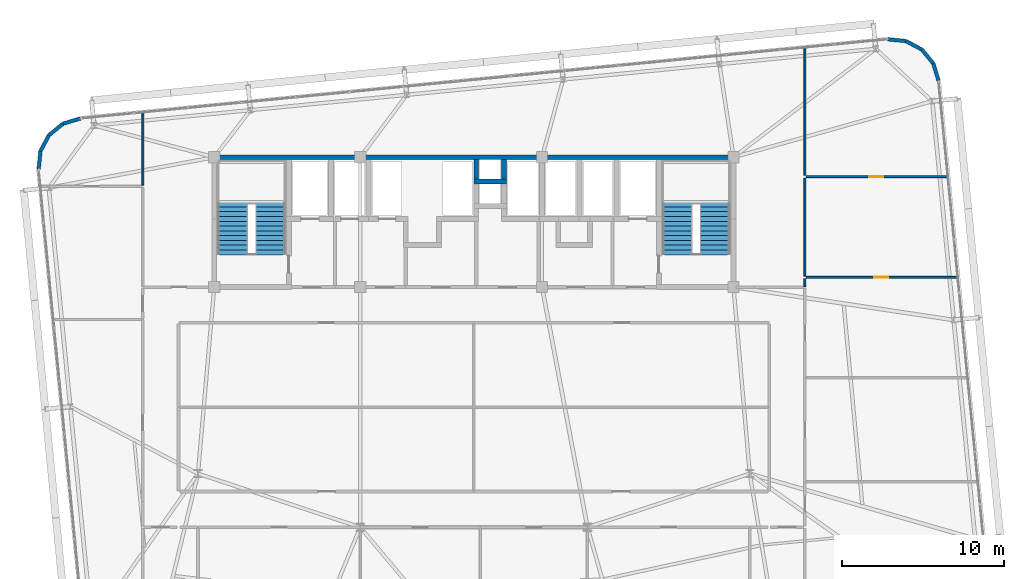
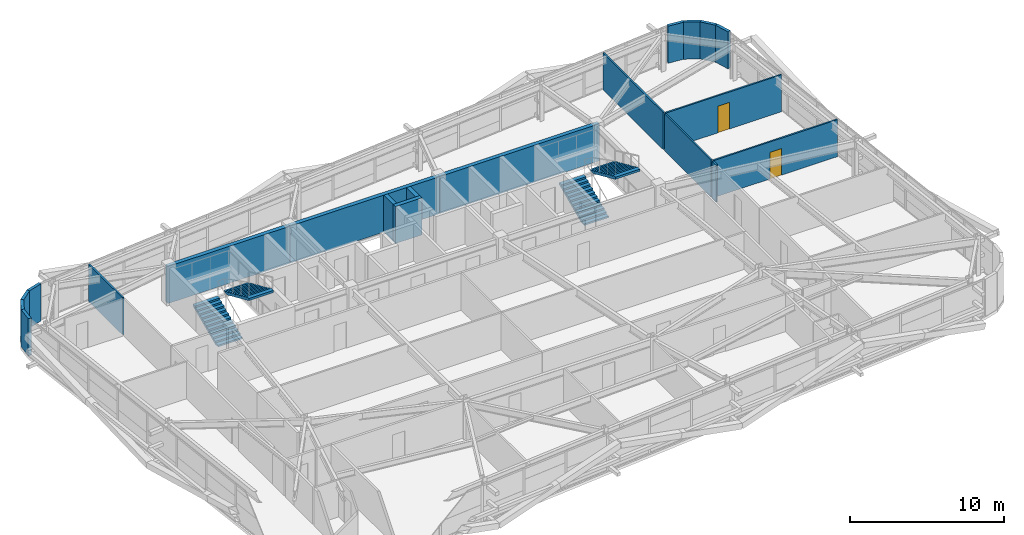
# One storey, part 49 of 52: 20 walls, 4 stair flights, 2 doors, 2 openings, 2 elements without a shape of their own.
"""IFC4 building model written with IfcOpenShell, lengths in metres."""

from ifc_helpers import new_model, si_unit, direction, frame, frame_2d, origin, place, context, subcontext, project, spatial, polyline, rectangle, outline, extrude, source, transform, mapped, material, layer, layer_set, type_object, element, fill, aggregate, save


model = new_model("IFC4")

# Units and contexts
model_context = context("Model", 3, precision=1e-05, world=origin(), true_north=direction((0.0, 1.0)))
body_context = subcontext(model_context, "Body", "Model", "MODEL_VIEW")
ifc_project = project(units=[si_unit("LENGTHUNIT", "METRE"), si_unit("AREAUNIT", "SQUARE_METRE"), si_unit("VOLUMEUNIT", "CUBIC_METRE"), si_unit("PLANEANGLEUNIT", "RADIAN"), si_unit("MASSUNIT", "GRAM", prefix="KILO")], contexts=[model_context])

# Site, building, storey
site_placement = place(None, origin())
site = spatial("IfcSite", under=ifc_project, at=site_placement, CompositionType="ELEMENT")
building_placement = place(site_placement, origin())
building = spatial("IfcBuilding", under=site, at=building_placement, Name="Taldren Reach Tower", CompositionType="ELEMENT")
storey_placement = place(building_placement, frame((0.0, 0.0, 77.699951171875)))
storey = spatial("IfcBuildingStorey", under=building, at=storey_placement, Name="L23", CompositionType="ELEMENT", Elevation=77.699951171875)

# Walls
ifc_material_1 = material(Name="Pale Champagne Anodised Aluminium Cladding", Category="aluminium")
ifc_layer_1 = layer(ifc_material_1, 0.04, Name="Pale Champagne Anodised Aluminium Cladding", Category="aluminium")
ifc_material_2 = material(Name="Mineral Wool Acoustic Insulation", Category="insulation")
ifc_layer_2 = layer(ifc_material_2, 0.06, Name="Mineral Wool Acoustic Insulation", Category="insulation")
ifc_material_3 = material(Name="Steel Gr 350 (C350L0)", Category="steel")
ifc_layer_3 = layer(ifc_material_3, 0.12, Name="Steel Gr 350 (C350L0)", Category="steel")
ifc_layer_set_1 = layer_set([ifc_layer_1, ifc_layer_2, ifc_layer_3], Name="Pale Champagne Aluminium Cladding and Steel Gr 350 Stud Framing")
wall_type_1 = type_object("IfcWallType", Name="EW-CRN-220", PredefinedType="SOLIDWALL", material=ifc_layer_set_1)
shared_shape_1 = source(origin(), body_context, "Body", "SweptSolid", [
    extrude(rectangle(XDim=1.115966796875, YDim=0.219970703125, at=frame_2d((0.55810546875, 0.0))), origin(), (0.0, 0.0, 1.0), 2.929931640625),
])
for number, where, z_axis, x_axis, name in (
    (1, (63.6376953125, 36.6982421875, 0.0), (0.0, 0.0, 1.0), (-0.289855603468, 0.957070388811, 0.0), "Rounded-corner pale-metal facade wall L23-NE1"),
    (2, (62.606689453125, 38.629150390625, 0.0), (0.0, 0.0, 1.0), (-0.881655534635, 0.471893545461, 0.0), "Rounded-corner pale-metal facade wall L23-NE3"),
    (3, (61.622802734375, 39.15576171875, 0.0), (0.0, 0.0, 1.0), (-0.995142755671, 0.09844234778, 0.0), "Rounded-corner pale-metal facade wall L23-NE4"),
    (4, (10.7509765625, 34.386474609375, 0.0), (0.0, 0.0, 1.0), (-0.957070388811, -0.289855603468, 0.0), "Rounded-corner pale-metal facade wall L23-NW1"),
):
    element("IfcWall", number, at=place(storey_placement, frame(where, z_axis=z_axis, x_axis=x_axis)), inside=storey, type_object=wall_type_1, Name=name, PredefinedType="SOLIDWALL", context=body_context, shape_type="MappedRepresentation", body=[
        mapped(shared_shape_1, transform((0.0, 0.0, 0.0), scale=1.0)),
    ])
shared_shape_2 = source(origin(), body_context, "Body", "SweptSolid", [
    extrude(rectangle(XDim=1.11572265625, YDim=0.219970703125, at=frame_2d((0.557861328125, 0.0))), origin(), (0.0, 0.0, 1.0), 2.929931640625),
])
for number, where, z_axis, x_axis, name in (
    (5, (63.314208984375, 37.766357421875, 0.0), (0.0, 0.0, 1.0), (-0.634095287989, 0.773254916409, 0.0), "Rounded-corner pale-metal facade wall L23-NE2"),
    (6, (9.682861328125, 34.06298828125, 0.0), (0.0, 0.0, 1.0), (-0.773254916409, -0.634095287989, 0.0), "Rounded-corner pale-metal facade wall L23-NW2"),
    (7, (8.29345703125, 32.371337890625, 0.0), (0.0, 0.0, 1.0), (-0.098463783145, -0.99514063499, 0.0), "Rounded-corner pale-metal facade wall L23-NW4"),
):
    element("IfcWall", number, at=place(storey_placement, frame(where, z_axis=z_axis, x_axis=x_axis)), inside=storey, type_object=wall_type_1, Name=name, PredefinedType="SOLIDWALL", context=body_context, shape_type="MappedRepresentation", body=[
        mapped(shared_shape_2, transform((0.0, 0.0, 0.0), scale=1.0)),
    ])
shared_shape_3 = source(origin(), body_context, "Body", "SweptSolid", [
    extrude(rectangle(XDim=1.1162109375, YDim=0.219970703125, at=frame_2d((0.55810546875, 0.0))), origin(), (0.0, 0.0, 1.0), 2.929931640625),
])
wall_1_placement = place(storey_placement, frame((8.820068359375, 33.35546875, 0.0), z_axis=(0.0, 0.0, 1.0), x_axis=(-0.471802540493, -0.881704237704, 0.0)))
element("IfcWall", 8, at=wall_1_placement, inside=storey, type_object=wall_type_1, Name="Rounded-corner pale-metal facade wall L23-NW3", PredefinedType="SOLIDWALL", context=body_context, shape_type="MappedRepresentation", body=[
    mapped(shared_shape_3, transform((0.0, 0.0, 0.0), scale=1.0)),
])
ifc_material_4 = material(Name="Concrete S65 (65 MPa)", Category="concrete")
ifc_layer_4 = layer(ifc_material_4, 0.300048828125)
ifc_layer_set_2 = layer_set([ifc_layer_4], Name="Concrete S65 (65 MPa)")
wall_type_2 = type_object("IfcWallType", Name="IW-CORE-300", PredefinedType="SHEAR", material=ifc_layer_set_2)
shared_shape_4 = source(origin(), body_context, "Body", "SweptSolid", [
    extrude(rectangle(XDim=9.14990234375, YDim=0.300048828125, at=frame_2d((4.574951171875, 0.0))), origin(), (0.0, 0.0, 1.0), 2.929931640625),
])
wall_2_placement = place(storey_placement, frame((18.85009765625, 32.0, 0.0), z_axis=(0.0, 0.0, 1.0), x_axis=(1.0, 0.0, 0.0)))
element("IfcWall", 9, at=wall_2_placement, inside=storey, type_object=wall_type_2, Name="Rear Core Shear Wall W-CORE-L23-NORTH1", PredefinedType="SHEAR", context=body_context, shape_type="MappedRepresentation", body=[
    mapped(shared_shape_4, transform((0.0, 0.0, 0.0), scale=1.0)),
])
shared_shape_5 = source(origin(), body_context, "Body", "SweptSolid", [
    extrude(rectangle(XDim=11.199951171875, YDim=0.300048828125, at=frame_2d((5.60009765625, 0.0))), origin(), (0.0, 0.0, 1.0), 2.929931640625),
])
wall_3_placement = place(storey_placement, frame((28.0, 32.0, 0.0), z_axis=(0.0, 0.0, 1.0), x_axis=(1.0, 0.0, 0.0)))
element("IfcWall", 10, at=wall_3_placement, inside=storey, type_object=wall_type_2, Name="Rear Core Shear Wall W-CORE-L23-NORTH2", PredefinedType="SHEAR", context=body_context, shape_type="MappedRepresentation", body=[
    mapped(shared_shape_5, transform((0.0, 0.0, 0.0), scale=1.0)),
])
shared_shape_6 = source(origin(), body_context, "Body", "SweptSolid", [
    extrude(rectangle(XDim=11.949951171875, YDim=0.300048828125, at=frame_2d((5.97509765625, 0.0))), origin(), (0.0, 0.0, 1.0), 2.929931640625),
])
wall_4_placement = place(storey_placement, frame((39.199951171875, 32.0, 0.0), z_axis=(0.0, 0.0, 1.0), x_axis=(1.0, 0.0, 0.0)))
element("IfcWall", 11, at=wall_4_placement, inside=storey, type_object=wall_type_2, Name="Rear Core Shear Wall W-CORE-L23-NORTH3", PredefinedType="SHEAR", context=body_context, shape_type="MappedRepresentation", body=[
    mapped(shared_shape_6, transform((0.0, 0.0, 0.0), scale=1.0)),
])
shared_shape_7 = source(origin(), body_context, "Body", "SweptSolid", [
    extrude(rectangle(XDim=2.0, YDim=0.300048828125, at=frame_2d((1.0, 0.0))), origin(), (0.0, 0.0, 1.0), 2.929931640625),
])
wall_5_placement = place(storey_placement, frame((35.0, 30.5, 0.0), z_axis=(0.0, 0.0, 1.0), x_axis=(1.0, 0.0, 0.0)))
element("IfcWall", 12, at=wall_5_placement, inside=storey, type_object=wall_type_2, Name="Rear Core Shear Wall W-INT-L23-015", PredefinedType="SHEAR", context=body_context, shape_type="MappedRepresentation", body=[
    mapped(shared_shape_7, transform((0.0, 0.0, 0.0), scale=1.0)),
])
shared_shape_8 = source(origin(), body_context, "Body", "SweptSolid", [
    extrude(rectangle(XDim=1.2001953125, YDim=0.300048828125, at=frame_2d((0.60009765625, 0.0))), origin(), (0.0, 0.0, 1.0), 2.929931640625),
])
for number, where, z_axis, x_axis, name in (
    (13, (35.14990234375, 31.85009765625, 0.0), (0.0, 0.0, 1.0), (0.0, -1.0, 0.0), "Rear Core Shear Wall W-INT-L23-016"),
    (14, (36.85009765625, 30.64990234375, 0.0), (0.0, 0.0, 1.0), (0.0, 1.0, 0.0), "Rear Core Shear Wall W-INT-L23-017"),
):
    element("IfcWall", number, at=place(storey_placement, frame(where, z_axis=z_axis, x_axis=x_axis)), inside=storey, type_object=wall_type_2, Name=name, PredefinedType="SHEAR", context=body_context, shape_type="MappedRepresentation", body=[
        mapped(shared_shape_8, transform((0.0, 0.0, 0.0), scale=1.0)),
    ])
ifc_material_5 = material(Name="Insulated Residential Stud Partition", Category="gypsum")
ifc_layer_5 = layer(ifc_material_5, 0.1201171875)
ifc_layer_set_3 = layer_set([ifc_layer_5], Name="Insulated Residential Stud Partition")
wall_type_3 = type_object("IfcWallType", Name="IW-PART-120", PredefinedType="PARTITIONING", material=ifc_layer_set_3)
shared_shape_9 = source(origin(), body_context, "Body", "SweptSolid", [
    extrude(rectangle(XDim=4.385498046875, YDim=0.1201171875, at=frame_2d((2.19287109375, 0.0))), origin(), (0.0, 0.0, 1.0), 2.929931640625),
])
wall_6_placement = place(storey_placement, frame((14.60009765625, 34.66552734375, 0.0), z_axis=(0.0, 0.0, 1.0), x_axis=(0.0, -1.0, 0.0)))
element("IfcWall", 15, at=wall_6_placement, inside=storey, type_object=wall_type_3, Name="Interior Partition Wall W-INT-L23-092", PredefinedType="PARTITIONING", context=body_context, shape_type="MappedRepresentation", body=[
    mapped(shared_shape_9, transform((0.0, 0.0, 0.0), scale=1.0)),
])

# Wall, opening, door
shared_shape_10 = source(origin(), body_context, "Body", "SweptSolid", [
    extrude(rectangle(XDim=9.26123046875, YDim=0.1201171875, at=frame_2d((4.630615234375, 0.0))), origin(), (0.0, 0.0, 1.0), 2.929931640625),
])
wall_7_placement = place(storey_placement, frame((55.47998046875, 24.60009765625, 0.0), z_axis=(0.0, 0.0, 1.0), x_axis=(1.0, 0.0, 0.0)))
wall_7 = element("IfcWall", 16, at=wall_7_placement, inside=storey, type_object=wall_type_3, Name="Interior Partition Wall W-INT-L23-095", PredefinedType="PARTITIONING", context=body_context, shape_type="MappedRepresentation", body=[
    mapped(shared_shape_10, transform((0.0, 0.0, 0.0), scale=1.0)),
])
shared_shape_11 = source(origin(), body_context, "Body", "SweptSolid", [
    extrude(rectangle(XDim=0.860107421875, YDim=2.10009765625, at=frame_2d((0.43017578125, 1.050048828125))), frame((0.0, 0.070068359375, 0.0), z_axis=(0.0, -1.0, 0.0), x_axis=(1.0, 0.0, 0.0)), (0.0, 0.0, 1.0), 0.14013671875),
])
opening_1_placement = place(wall_7_placement, frame((4.20068359375, 0.0, 0.0)))
opening_1 = element("IfcOpeningElement", 17, at=opening_1_placement, cuts=wall_7, Name="Opening DI-086", PredefinedType="OPENING", context=body_context, shape_type="MappedRepresentation", body=[
    mapped(shared_shape_11, transform((0.0, 0.0, 0.0), scale=1.0)),
])
ifc_material_6 = material(Name="Timber Bathroom Door", Category="wood")
door_type = type_object("IfcDoorType", Name="ID-INT-086", OperationType="NOTDEFINED", PredefinedType="DOOR", material=ifc_material_6)
shared_shape_12 = source(origin(), body_context, "Body", "SweptSolid", [
    extrude(rectangle(XDim=0.860107421875, YDim=2.10009765625, at=frame_2d((0.43017578125, 1.050048828125))), frame((0.0, 0.02490234375, 0.0), z_axis=(0.0, -1.0, 0.0), x_axis=(1.0, 0.0, 0.0)), (0.0, 0.0, 1.0), 0.050048828125),
])
door_1_placement = place(opening_1_placement, origin())
door_1 = element("IfcDoor", 18, at=door_1_placement, inside=storey, type_object=door_type, Name="Interior Door DR-L23-028", OperationType="SINGLE_SWING_LEFT", OverallHeight=2.10009765625, OverallWidth=0.860107421875, PredefinedType="DOOR", context=body_context, shape_type="MappedRepresentation", body=[
    mapped(shared_shape_12, transform((0.0, 0.0, 0.0), scale=1.0)),
])
fill(opening_1, door_1)

# Wall
shared_shape_13 = source(origin(), body_context, "Body", "SweptSolid", [
    extrude(rectangle(XDim=0.499755859375, YDim=0.1201171875, at=frame_2d((0.25, 0.0))), origin(), (0.0, 0.0, 1.0), 2.929931640625),
])
wall_8_placement = place(storey_placement, frame((55.39990234375, 24.020263671875, 0.0), z_axis=(0.0, 0.0, 1.0), x_axis=(0.0, 1.0, 0.0)))
element("IfcWall", 19, at=wall_8_placement, inside=storey, type_object=wall_type_3, Name="Interior Partition Wall W-INT-L23-096", PredefinedType="PARTITIONING", context=body_context, shape_type="MappedRepresentation", body=[
    mapped(shared_shape_13, transform((0.0, 0.0, 0.0), scale=1.0)),
])

# Wall, opening, door
shared_shape_14 = source(origin(), body_context, "Body", "SweptSolid", [
    extrude(rectangle(XDim=8.6533203125, YDim=0.1201171875, at=frame_2d((4.32666015625, 0.0))), origin(), (0.0, 0.0, 1.0), 2.929931640625),
])
wall_9_placement = place(storey_placement, frame((55.47998046875, 30.800048828125, 0.0), z_axis=(0.0, 0.0, 1.0), x_axis=(1.0, 0.0, 0.0)))
wall_9 = element("IfcWall", 20, at=wall_9_placement, inside=storey, type_object=wall_type_3, Name="Interior Partition Wall W-INT-L23-097", PredefinedType="PARTITIONING", context=body_context, shape_type="MappedRepresentation", body=[
    mapped(shared_shape_14, transform((0.0, 0.0, 0.0), scale=1.0)),
])
opening_2_placement = place(wall_9_placement, frame((3.896728515625, 0.0, 0.0)))
opening_2 = element("IfcOpeningElement", 21, at=opening_2_placement, cuts=wall_9, Name="Opening DI-086", PredefinedType="OPENING", context=body_context, shape_type="MappedRepresentation", body=[
    mapped(shared_shape_11, transform((0.0, 0.0, 0.0), scale=1.0)),
])
door_2_placement = place(opening_2_placement, frame((0.860107421875, 0.0, 0.0), z_axis=(0.0, 0.0, 1.0), x_axis=(-1.0, 0.0, 0.0)))
door_2 = element("IfcDoor", 22, at=door_2_placement, inside=storey, type_object=door_type, Name="Interior Door DR-L23-029", OperationType="SINGLE_SWING_LEFT", OverallHeight=2.10009765625, OverallWidth=0.860107421875, PredefinedType="DOOR", context=body_context, shape_type="MappedRepresentation", body=[
    mapped(shared_shape_12, transform((0.0, 0.0, 0.0), scale=1.0)),
])
fill(opening_2, door_2)

# Walls
shared_shape_15 = source(origin(), body_context, "Body", "SweptSolid", [
    extrude(rectangle(XDim=6.0400390625, YDim=0.1201171875, at=frame_2d((3.02001953125, 0.0))), origin(), (0.0, 0.0, 1.0), 2.929931640625),
])
wall_10_placement = place(storey_placement, frame((55.39990234375, 24.679931640625, 0.0), z_axis=(0.0, 0.0, 1.0), x_axis=(0.0, 1.0, 0.0)))
element("IfcWall", 23, at=wall_10_placement, inside=storey, type_object=wall_type_3, Name="Interior Partition Wall W-INT-L23-098", PredefinedType="PARTITIONING", context=body_context, shape_type="MappedRepresentation", body=[
    mapped(shared_shape_15, transform((0.0, 0.0, 0.0), scale=1.0)),
])
shared_shape_16 = source(origin(), body_context, "Body", "SweptSolid", [
    extrude(rectangle(XDim=7.8017578125, YDim=0.1201171875, at=frame_2d((3.90087890625, 0.0))), origin(), (0.0, 0.0, 1.0), 2.929931640625),
])
wall_11_placement = place(storey_placement, frame((55.39990234375, 30.8798828125, 0.0), z_axis=(0.0, 0.0, 1.0), x_axis=(0.0, 1.0, 0.0)))
element("IfcWall", 24, at=wall_11_placement, inside=storey, type_object=wall_type_3, Name="Interior Partition Wall W-INT-L23-099", PredefinedType="PARTITIONING", context=body_context, shape_type="MappedRepresentation", body=[
    mapped(shared_shape_16, transform((0.0, 0.0, 0.0), scale=1.0)),
])

# Stair, stair flights
ifc_material_7 = material(Name="Concrete S50 (50 MPa)", Category="concrete")
stair_type = type_object("IfcStairType", Name="ST-HT-315", PredefinedType="HALF_TURN_STAIR", material=ifc_material_7)
stair_1_placement = place(storey_placement, origin())
stair_1 = element("IfcStair", 25, at=stair_1_placement, inside=storey, type_object=stair_type, Name="Fire-isolated exit stair ST1 L23", PredefinedType="HALF_TURN_STAIR")
stair_flight_type = type_object("IfcStairFlightType", Name="SF-STR-315", PredefinedType="STRAIGHT", material=ifc_material_7)
stair_flight_1_placement = place(storey_placement, frame((20.139892578125, 25.989990234375, 0.0), z_axis=(0.0, 0.0, 1.0), x_axis=(0.0, 1.0, 0.0)))
stair_flight_1 = element("IfcStairFlight", 26, at=stair_flight_1_placement, type_object=stair_flight_type, Name="ST1 flight 1", NumberOfRisers=12, NumberOfTreads=11, PredefinedType="STRAIGHT", RiserHeight=0.13125, TreadLength=0.295, context=body_context, shape_type="SweptSolid", body=[
    extrude(outline(polyline([(0.0, 0.0), (0.0, 0.13134765625), (0.294921875, 0.13134765625), (0.294921875, 0.262451171875), (0.590087890625, 0.262451171875), (0.590087890625, 0.393798828125), (0.885009765625, 0.393798828125), (0.885009765625, 0.52490234375), (1.179931640625, 0.52490234375), (1.179931640625, 0.65625), (1.47509765625, 0.65625), (1.47509765625, 0.78759765625), (1.77001953125, 0.78759765625), (1.77001953125, 0.918701171875), (2.06494140625, 0.918701171875), (2.06494140625, 1.050048828125), (2.360107421875, 1.050048828125), (2.360107421875, 1.18115234375), (2.655029296875, 1.18115234375), (2.655029296875, 1.3125), (2.949951171875, 1.3125), (2.949951171875, 1.44384765625), (3.2451171875, 1.44384765625), (3.2451171875, 1.574951171875), (3.2451171875, 1.268798828125), (0.393310546875, 0.0), (0.0, 0.0)])), frame((0.0, 0.919921875, 0.0), z_axis=(0.0, -1.0, 0.0), x_axis=(1.0, 0.0, 0.0)), (0.0, 0.0, 1.0), 1.840087890625),
])
stair_flight_2_placement = place(storey_placement, frame((22.4599609375, 29.235107421875, 1.574951171875), z_axis=(0.0, 0.0, 1.0), x_axis=(0.0, -1.0, 0.0)))
stair_flight_2 = element("IfcStairFlight", 27, at=stair_flight_2_placement, type_object=stair_flight_type, Name="ST1 flight 2", NumberOfRisers=12, NumberOfTreads=11, PredefinedType="STRAIGHT", RiserHeight=0.13125, TreadLength=0.295, context=body_context, shape_type="SweptSolid", body=[
    extrude(outline(polyline([(0.0, 0.0), (0.0, 0.13134765625), (0.294921875, 0.13134765625), (0.294921875, 0.262451171875), (0.590087890625, 0.262451171875), (0.590087890625, 0.393798828125), (0.885009765625, 0.393798828125), (0.885009765625, 0.52490234375), (1.179931640625, 0.52490234375), (1.179931640625, 0.65625), (1.47509765625, 0.65625), (1.47509765625, 0.78759765625), (1.77001953125, 0.78759765625), (1.77001953125, 0.918701171875), (2.06494140625, 0.918701171875), (2.06494140625, 1.050048828125), (2.360107421875, 1.050048828125), (2.360107421875, 1.18115234375), (2.655029296875, 1.18115234375), (2.655029296875, 1.3125), (2.949951171875, 1.3125), (2.949951171875, 1.44384765625), (3.2451171875, 1.44384765625), (3.2451171875, 1.574951171875), (3.2451171875, 1.268798828125), (0.393310546875, 0.0), (0.0, 0.0)])), frame((0.0, 0.919921875, 0.0), z_axis=(0.0, -1.0, 0.0), x_axis=(1.0, 0.0, 0.0)), (0.0, 0.0, 1.0), 1.840087890625),
])
aggregate(stair_1, [stair_flight_1, stair_flight_2])

stair_2_placement = place(storey_placement, origin())
stair_2 = element("IfcStair", 28, at=stair_2_placement, inside=storey, type_object=stair_type, Name="Fire-isolated exit stair ST2 L23", PredefinedType="HALF_TURN_STAIR")
stair_flight_3_placement = place(storey_placement, frame((47.5400390625, 25.989990234375, 0.0), z_axis=(0.0, 0.0, 1.0), x_axis=(0.0, 1.0, 0.0)))
stair_flight_3 = element("IfcStairFlight", 29, at=stair_flight_3_placement, type_object=stair_flight_type, Name="ST2 flight 1", NumberOfRisers=12, NumberOfTreads=11, PredefinedType="STRAIGHT", RiserHeight=0.13125, TreadLength=0.295, context=body_context, shape_type="SweptSolid", body=[
    extrude(outline(polyline([(0.0, 0.0), (0.0, 0.13134765625), (0.294921875, 0.13134765625), (0.294921875, 0.262451171875), (0.590087890625, 0.262451171875), (0.590087890625, 0.393798828125), (0.885009765625, 0.393798828125), (0.885009765625, 0.52490234375), (1.179931640625, 0.52490234375), (1.179931640625, 0.65625), (1.47509765625, 0.65625), (1.47509765625, 0.78759765625), (1.77001953125, 0.78759765625), (1.77001953125, 0.918701171875), (2.06494140625, 0.918701171875), (2.06494140625, 1.050048828125), (2.360107421875, 1.050048828125), (2.360107421875, 1.18115234375), (2.655029296875, 1.18115234375), (2.655029296875, 1.3125), (2.949951171875, 1.3125), (2.949951171875, 1.44384765625), (3.2451171875, 1.44384765625), (3.2451171875, 1.574951171875), (3.2451171875, 1.268798828125), (0.393310546875, 0.0), (0.0, 0.0)])), frame((0.0, 0.919921875, 0.0), z_axis=(0.0, -1.0, 0.0), x_axis=(1.0, 0.0, 0.0)), (0.0, 0.0, 1.0), 1.840087890625),
])
stair_flight_4_placement = place(storey_placement, frame((49.860107421875, 29.235107421875, 1.574951171875), z_axis=(0.0, 0.0, 1.0), x_axis=(0.0, -1.0, 0.0)))
stair_flight_4 = element("IfcStairFlight", 30, at=stair_flight_4_placement, type_object=stair_flight_type, Name="ST2 flight 2", NumberOfRisers=12, NumberOfTreads=11, PredefinedType="STRAIGHT", RiserHeight=0.13125, TreadLength=0.295, context=body_context, shape_type="SweptSolid", body=[
    extrude(outline(polyline([(0.0, 0.0), (0.0, 0.13134765625), (0.294921875, 0.13134765625), (0.294921875, 0.262451171875), (0.590087890625, 0.262451171875), (0.590087890625, 0.393798828125), (0.885009765625, 0.393798828125), (0.885009765625, 0.52490234375), (1.179931640625, 0.52490234375), (1.179931640625, 0.65625), (1.47509765625, 0.65625), (1.47509765625, 0.78759765625), (1.77001953125, 0.78759765625), (1.77001953125, 0.918701171875), (2.06494140625, 0.918701171875), (2.06494140625, 1.050048828125), (2.360107421875, 1.050048828125), (2.360107421875, 1.18115234375), (2.655029296875, 1.18115234375), (2.655029296875, 1.3125), (2.949951171875, 1.3125), (2.949951171875, 1.44384765625), (3.2451171875, 1.44384765625), (3.2451171875, 1.574951171875), (3.2451171875, 1.268798828125), (0.393310546875, 0.0), (0.0, 0.0)])), frame((0.0, 0.919921875, 0.0), z_axis=(0.0, -1.0, 0.0), x_axis=(1.0, 0.0, 0.0)), (0.0, 0.0, 1.0), 1.840087890625),
])
aggregate(stair_2, [stair_flight_3, stair_flight_4])

save(model, "model.ifc")
